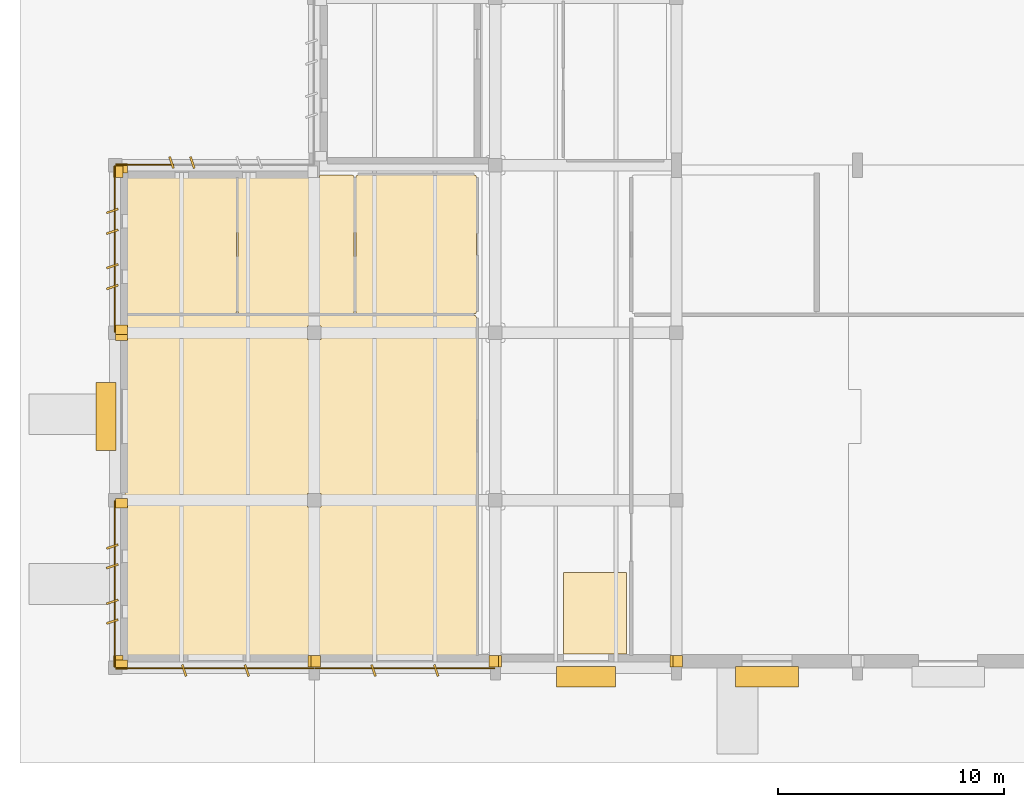
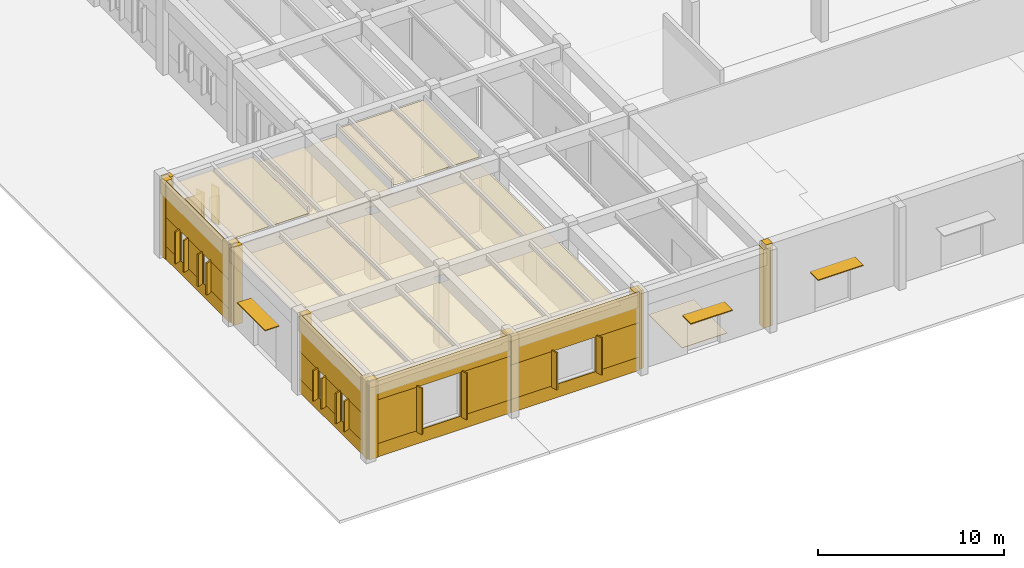
# One storey, part 33 of 56: 51 coverings, 3 shading devices.
"""IFC4 building model written with IfcOpenShell, lengths in metres."""

from ifc_helpers import new_model, si_unit, direction, frame, frame_2d, origin, origin_2d, place, context, subcontext, project, spatial, polyline, rectangle, outline, extrude, material, layer, layer_set, type_object, element, save


model = new_model("IFC4")

# Units and contexts
model_context = context("Model", 3, precision=1e-05, world=origin(), true_north=direction((0.0, 1.0)))
body_context = subcontext(model_context, "Body", "Model", "MODEL_VIEW")
ifc_project = project(units=[si_unit("LENGTHUNIT", "METRE"), si_unit("AREAUNIT", "SQUARE_METRE"), si_unit("VOLUMEUNIT", "CUBIC_METRE"), si_unit("PLANEANGLEUNIT", "RADIAN"), si_unit("MASSUNIT", "GRAM", prefix="KILO")], contexts=[model_context])

# Site, building, storey
site_placement = place(None, origin())
site = spatial("IfcSite", under=ifc_project, at=site_placement, CompositionType="ELEMENT")
building_placement = place(site_placement, origin())
building = spatial("IfcBuilding", under=site, at=building_placement, Name="Valkorina Park Police Headquarters", CompositionType="ELEMENT")
storey_placement = place(building_placement, origin())
storey = spatial("IfcBuildingStorey", under=building, at=storey_placement, Name="L01", CompositionType="ELEMENT", Elevation=0.0)

# Coverings
ifc_material_1 = material(Name="Acoustic mineral board")
ifc_layer_1 = layer(ifc_material_1, 0.02490234375)
ifc_layer_set_1 = layer_set([ifc_layer_1], Name="Acoustic mineral board")
covering_type_1 = type_object("IfcCoveringType", Name="COV-CEILING-ACOUST", PredefinedType="CEILING", material=ifc_layer_set_1)
covering_1_placement = place(storey_placement, frame((0.0, 0.0, 4.264892578125)))
element("IfcCovering", 1, at=covering_1_placement, inside=storey, type_object=covering_type_1, Name="Civic Wind-Lobby and Waiting Room Acoustic Suspended Ceiling", PredefinedType="CEILING", context=body_context, shape_type="SweptSolid", body=[
    extrude(outline(polyline([(8.574951171875, 0.45068359375), (8.574951171875, 0.550048828125), (9.02490234375, 0.550048828125), (9.02490234375, 0.45068359375), (9.02734375, 0.449462890625), (9.034423828125, 0.446044921875), (9.041748046875, 0.443359375), (9.04931640625, 0.44140625), (9.05712890625, 0.4404296875), (9.06494140625, 0.43994140625), (15.8798828125, 0.43994140625), (15.8876953125, 0.4404296875), (15.8955078125, 0.44140625), (15.9033203125, 0.443359375), (15.91064453125, 0.446044921875), (15.917724609375, 0.449462890625), (15.92431640625, 0.45361328125), (15.930908203125, 0.458251953125), (15.9365234375, 0.46337890625), (15.94189453125, 0.46923828125), (15.946533203125, 0.4755859375), (15.95068359375, 0.482421875), (15.953857421875, 0.489501953125), (15.95654296875, 0.496826171875), (15.95849609375, 0.50439453125), (15.959716796875, 0.51220703125), (15.9599609375, 0.52001953125), (15.9599609375, 15.47998046875), (15.959716796875, 15.48779296875), (15.95849609375, 15.49560546875), (15.95654296875, 15.503173828125), (15.953857421875, 15.510498046875), (15.95068359375, 15.517578125), (15.946533203125, 15.5244140625), (15.94189453125, 15.53076171875), (15.9365234375, 15.53662109375), (15.930908203125, 15.541748046875), (15.92431640625, 15.54638671875), (15.917724609375, 15.550537109375), (15.91064453125, 15.553955078125), (15.9033203125, 15.556640625), (15.8955078125, 15.55859375), (15.8876953125, 15.5595703125), (15.8798828125, 15.56005859375), (0.52001953125, 15.56005859375), (0.51220703125, 15.5595703125), (0.50439453125, 15.55859375), (0.496826171875, 15.556640625), (0.489501953125, 15.553955078125), (0.482421875, 15.550537109375), (0.4755859375, 15.54638671875), (0.46923828125, 15.541748046875), (0.46337890625, 15.53662109375), (0.458251953125, 15.53076171875), (0.45361328125, 15.5244140625), (0.449462890625, 15.517578125), (0.446044921875, 15.510498046875), (0.443359375, 15.503173828125), (0.44140625, 15.49560546875), (0.4404296875, 15.48779296875), (0.43994140625, 15.47998046875), (0.43994140625, 0.52001953125), (0.4404296875, 0.51220703125), (0.44140625, 0.50439453125), (0.443359375, 0.496826171875), (0.446044921875, 0.489501953125), (0.449462890625, 0.482421875), (0.45361328125, 0.4755859375), (0.458251953125, 0.46923828125), (0.46337890625, 0.46337890625), (0.46923828125, 0.458251953125), (0.4755859375, 0.45361328125), (0.482421875, 0.449462890625), (0.489501953125, 0.446044921875), (0.496826171875, 0.443359375), (0.50439453125, 0.44140625), (0.51220703125, 0.4404296875), (0.52001953125, 0.43994140625), (8.534912109375, 0.43994140625), (8.542724609375, 0.4404296875), (8.550537109375, 0.44140625), (8.55810546875, 0.443359375), (8.565673828125, 0.446044921875), (8.57275390625, 0.449462890625), (8.574951171875, 0.45068359375)]), holes=[polyline([(9.10009765625, 14.5), (8.5, 14.5), (8.5, 15.10009765625), (9.10009765625, 15.10009765625), (9.10009765625, 14.5)]), polyline([(9.10009765625, 7.10009765625), (8.5, 7.10009765625), (8.5, 7.699951171875), (9.10009765625, 7.699951171875), (9.10009765625, 7.10009765625)])]), origin(), (0.0, 0.0, 1.0), 0.025146484375),
])
covering_2_placement = place(storey_placement, frame((0.0, 0.0, 4.7548828125)))
element("IfcCovering", 2, at=covering_2_placement, inside=storey, type_object=covering_type_1, Name="Group III Universal Hygiene Room Acoustic Suspended Ceiling", PredefinedType="CEILING", context=body_context, shape_type="SweptSolid", body=[
    extrude(outline(polyline([(5.3583984375, 15.704345703125), (5.359619140625, 15.712158203125), (5.360107421875, 15.719970703125), (5.360107421875, 21.679931640625), (5.359619140625, 21.687744140625), (5.3583984375, 21.695556640625), (5.356689453125, 21.703125), (5.35400390625, 21.710693359375), (5.3505859375, 21.7177734375), (5.346435546875, 21.724365234375), (5.341796875, 21.730712890625), (5.336669921875, 21.736572265625), (5.330810546875, 21.74169921875), (5.324462890625, 21.74658203125), (5.317626953125, 21.75048828125), (5.310546875, 21.75390625), (5.30322265625, 21.756591796875), (5.295654296875, 21.758544921875), (5.287841796875, 21.759521484375), (5.280029296875, 21.760009765625), (0.52001953125, 21.760009765625), (0.51220703125, 21.759521484375), (0.50439453125, 21.758544921875), (0.496826171875, 21.756591796875), (0.489501953125, 21.75390625), (0.482421875, 21.75048828125), (0.4755859375, 21.74658203125), (0.46923828125, 21.74169921875), (0.46337890625, 21.736572265625), (0.458251953125, 21.730712890625), (0.45361328125, 21.724365234375), (0.449462890625, 21.7177734375), (0.446044921875, 21.710693359375), (0.443359375, 21.703125), (0.44140625, 21.695556640625), (0.4404296875, 21.687744140625), (0.43994140625, 21.679931640625), (0.43994140625, 15.719970703125), (0.4404296875, 15.712158203125), (0.44140625, 15.704345703125), (0.443359375, 15.69677734375), (0.446044921875, 15.689453125), (0.449462890625, 15.682373046875), (0.45361328125, 15.675537109375), (0.458251953125, 15.669189453125), (0.46337890625, 15.663330078125), (0.46923828125, 15.658203125), (0.4755859375, 15.653564453125), (0.482421875, 15.6494140625), (0.489501953125, 15.64599609375), (0.496826171875, 15.643310546875), (0.50439453125, 15.6416015625), (0.51220703125, 15.640380859375), (0.52001953125, 15.639892578125), (5.280029296875, 15.639892578125), (5.287841796875, 15.640380859375), (5.295654296875, 15.6416015625), (5.30322265625, 15.643310546875), (5.310546875, 15.64599609375), (5.317626953125, 15.6494140625), (5.324462890625, 15.653564453125), (5.330810546875, 15.658203125), (5.336669921875, 15.663330078125), (5.341796875, 15.669189453125), (5.346435546875, 15.675537109375), (5.3505859375, 15.682373046875), (5.35400390625, 15.689453125), (5.356689453125, 15.69677734375), (5.3583984375, 15.704345703125)])), origin(), (0.0, 0.0, 1.0), 0.025146484375),
])
covering_3_placement = place(storey_placement, frame((0.0, 0.0, 4.264892578125)))
element("IfcCovering", 3, at=covering_3_placement, inside=storey, type_object=covering_type_1, Name="Public Accessible WC Acoustic Suspended Ceiling", PredefinedType="CEILING", context=body_context, shape_type="SweptSolid", body=[
    extrude(outline(polyline([(9.02490234375, 21.749267578125), (9.02490234375, 21.64990234375), (8.574951171875, 21.64990234375), (8.574951171875, 21.749267578125), (8.57275390625, 21.75048828125), (8.565673828125, 21.75390625), (8.55810546875, 21.756591796875), (8.550537109375, 21.758544921875), (8.542724609375, 21.759521484375), (8.534912109375, 21.760009765625), (5.52001953125, 21.760009765625), (5.51220703125, 21.759521484375), (5.50439453125, 21.758544921875), (5.496826171875, 21.756591796875), (5.489501953125, 21.75390625), (5.482421875, 21.75048828125), (5.4755859375, 21.74658203125), (5.46923828125, 21.74169921875), (5.46337890625, 21.736572265625), (5.458251953125, 21.730712890625), (5.45361328125, 21.724365234375), (5.449462890625, 21.7177734375), (5.446044921875, 21.710693359375), (5.443359375, 21.703125), (5.44140625, 21.695556640625), (5.4404296875, 21.687744140625), (5.43994140625, 21.679931640625), (5.43994140625, 15.719970703125), (5.4404296875, 15.712158203125), (5.44140625, 15.704345703125), (5.443359375, 15.69677734375), (5.446044921875, 15.689453125), (5.449462890625, 15.682373046875), (5.45361328125, 15.675537109375), (5.458251953125, 15.669189453125), (5.46337890625, 15.663330078125), (5.46923828125, 15.658203125), (5.4755859375, 15.653564453125), (5.482421875, 15.6494140625), (5.489501953125, 15.64599609375), (5.496826171875, 15.643310546875), (5.50439453125, 15.6416015625), (5.51220703125, 15.640380859375), (5.52001953125, 15.639892578125), (10.47998046875, 15.639892578125), (10.48779296875, 15.640380859375), (10.49560546875, 15.6416015625), (10.503173828125, 15.643310546875), (10.510498046875, 15.64599609375), (10.517578125, 15.6494140625), (10.5244140625, 15.653564453125), (10.53076171875, 15.658203125), (10.53662109375, 15.663330078125), (10.541748046875, 15.669189453125), (10.54638671875, 15.675537109375), (10.550537109375, 15.682373046875), (10.553955078125, 15.689453125), (10.556640625, 15.69677734375), (10.55859375, 15.704345703125), (10.5595703125, 15.712158203125), (10.56005859375, 15.719970703125), (10.56005859375, 21.679931640625), (10.5595703125, 21.687744140625), (10.55859375, 21.695556640625), (10.556640625, 21.703125), (10.553955078125, 21.710693359375), (10.550537109375, 21.7177734375), (10.54638671875, 21.724365234375), (10.541748046875, 21.730712890625), (10.53662109375, 21.736572265625), (10.53076171875, 21.74169921875), (10.5244140625, 21.74658203125), (10.517578125, 21.75048828125), (10.510498046875, 21.75390625), (10.503173828125, 21.756591796875), (10.49560546875, 21.758544921875), (10.48779296875, 21.759521484375), (10.47998046875, 21.760009765625), (9.06494140625, 21.760009765625), (9.05712890625, 21.759521484375), (9.04931640625, 21.758544921875), (9.041748046875, 21.756591796875), (9.034423828125, 21.75390625), (9.02734375, 21.75048828125), (9.02490234375, 21.749267578125)])), origin(), (0.0, 0.0, 1.0), 0.025146484375),
])
covering_4_placement = place(storey_placement, frame((0.0, 0.0, 4.7548828125)))
element("IfcCovering", 4, at=covering_4_placement, inside=storey, type_object=covering_type_1, Name="Public Male WC Acoustic Suspended Ceiling", PredefinedType="CEILING", context=body_context, shape_type="SweptSolid", body=[
    extrude(outline(polyline([(15.95849609375, 15.704345703125), (15.959716796875, 15.712158203125), (15.9599609375, 15.719970703125), (15.9599609375, 21.679931640625), (15.959716796875, 21.687744140625), (15.95849609375, 21.695556640625), (15.95654296875, 21.703125), (15.953857421875, 21.710693359375), (15.95068359375, 21.7177734375), (15.946533203125, 21.724365234375), (15.94189453125, 21.730712890625), (15.9365234375, 21.736572265625), (15.930908203125, 21.74169921875), (15.92431640625, 21.74658203125), (15.917724609375, 21.75048828125), (15.91064453125, 21.75390625), (15.9033203125, 21.756591796875), (15.8955078125, 21.758544921875), (15.8876953125, 21.759521484375), (15.8798828125, 21.760009765625), (10.719970703125, 21.760009765625), (10.712158203125, 21.759521484375), (10.704345703125, 21.758544921875), (10.69677734375, 21.756591796875), (10.689453125, 21.75390625), (10.682373046875, 21.75048828125), (10.675537109375, 21.74658203125), (10.669189453125, 21.74169921875), (10.663330078125, 21.736572265625), (10.658203125, 21.730712890625), (10.653564453125, 21.724365234375), (10.6494140625, 21.7177734375), (10.64599609375, 21.710693359375), (10.643310546875, 21.703125), (10.6416015625, 21.695556640625), (10.640380859375, 21.687744140625), (10.639892578125, 21.679931640625), (10.639892578125, 15.719970703125), (10.640380859375, 15.712158203125), (10.6416015625, 15.704345703125), (10.643310546875, 15.69677734375), (10.64599609375, 15.689453125), (10.6494140625, 15.682373046875), (10.653564453125, 15.675537109375), (10.658203125, 15.669189453125), (10.663330078125, 15.663330078125), (10.669189453125, 15.658203125), (10.675537109375, 15.653564453125), (10.682373046875, 15.6494140625), (10.689453125, 15.64599609375), (10.69677734375, 15.643310546875), (10.704345703125, 15.6416015625), (10.712158203125, 15.640380859375), (10.719970703125, 15.639892578125), (15.8798828125, 15.639892578125), (15.8876953125, 15.640380859375), (15.8955078125, 15.6416015625), (15.9033203125, 15.643310546875), (15.91064453125, 15.64599609375), (15.917724609375, 15.6494140625), (15.92431640625, 15.653564453125), (15.930908203125, 15.658203125), (15.9365234375, 15.663330078125), (15.94189453125, 15.669189453125), (15.946533203125, 15.675537109375), (15.95068359375, 15.682373046875), (15.953857421875, 15.689453125), (15.95654296875, 15.69677734375), (15.95849609375, 15.704345703125)])), origin(), (0.0, 0.0, 1.0), 0.025146484375),
])
ifc_material_2 = material(Name="Precast concrete C40/50", Category="concrete")
ifc_layer_2 = layer(ifc_material_2, 0.044921875)
ifc_layer_set_2 = layer_set([ifc_layer_2], Name="Precast concrete C40/50")
covering_type_2 = type_object("IfcCoveringType", Name="COV-CLAD-DOLOMITE", PredefinedType="CLADDING", material=ifc_layer_set_2)
for number, where, z_axis, x_axis, name in (
    (5, (0.2900390625, 0.139892578125, 0.0), (0.0, 0.0, 1.0), (0.0, 1.0, 0.0), "L01 Exterior Joint Closure Pilaster A 0001"),
    (6, (0.2900390625, 7.260009765625, 0.0), (0.0, 0.0, 1.0), (0.0, 1.0, 0.0), "L01 Exterior Joint Closure Pilaster B 0002"),
):
    element("IfcCovering", number, at=place(storey_placement, frame(where, z_axis=z_axis, x_axis=x_axis)), inside=storey, type_object=covering_type_2, Name=name, PredefinedType="CLADDING", context=body_context, shape_type="SweptSolid", body=[
        extrude(rectangle(XDim=0.419921875, YDim=0.52197265625, at=origin_2d()), origin(), (0.0, 0.0, 1.0), 5.139892578125),
    ])
for number, where, z_axis, x_axis, name in (
    (7, (-0.1201171875, 2.044677734375, 0.77978515625), (0.0, 0.0, 1.0), (-0.948323655206, -0.317304656405, 0.0), "Slanted 18.5-deg Precast Window Slot Fin 0003"),
    (8, (-0.1201171875, 2.91455078125, 0.77978515625), (0.0, 0.0, 1.0), (-0.948323655206, -0.317304656405, 0.0), "Slanted 18.5-deg Precast Window Slot Fin 0004"),
    (9, (-0.1201171875, 4.4853515625, 0.77978515625), (0.0, 0.0, 1.0), (-0.948323655206, -0.317304656405, 0.0), "Slanted 18.5-deg Precast Window Slot Fin 0005"),
    (10, (-0.1201171875, 5.35546875, 0.77978515625), (0.0, 0.0, 1.0), (-0.948323655206, -0.317304656405, 0.0), "Slanted 18.5-deg Precast Window Slot Fin 0006"),
):
    element("IfcCovering", number, at=place(storey_placement, frame(where, z_axis=z_axis, x_axis=x_axis)), inside=storey, type_object=covering_type_2, Name=name, PredefinedType="CLADDING", context=body_context, shape_type="SweptSolid", body=[
        extrude(rectangle(XDim=0.5400390625, YDim=0.090087890625, at=origin_2d()), origin(), (0.0, 0.0, 1.0), 1.989990234375),
    ])
covering_5_placement = place(storey_placement, frame((-0.014892578125, 0.02001953125, 0.0), z_axis=(0.0, 0.0, 1.0), x_axis=(0.0, 1.0, 0.0)))
element("IfcCovering", 11, at=covering_5_placement, inside=storey, type_object=covering_type_2, Name="L01 Calm Concrete Base Sill Spandrel 0007", PredefinedType="CLADDING", context=body_context, shape_type="SweptSolid", body=[
    extrude(rectangle(XDim=7.35986328125, YDim=0.044921875, at=frame_2d((3.679931640625, 0.0))), origin(), (0.0, 0.0, 1.0), 0.8701171875),
])
covering_6_placement = place(storey_placement, frame((-0.014892578125, 0.02001953125, 2.679931640625), z_axis=(0.0, 0.0, 1.0), x_axis=(0.0, 1.0, 0.0)))
element("IfcCovering", 12, at=covering_6_placement, inside=storey, type_object=covering_type_2, Name="L01 Calm Concrete Base Lintel Spandrel 0008", PredefinedType="CLADDING", context=body_context, shape_type="SweptSolid", body=[
    extrude(rectangle(XDim=7.35986328125, YDim=0.044921875, at=frame_2d((3.679931640625, 0.0))), origin(), (0.0, 0.0, 1.0), 2.4599609375),
])
covering_7_placement = place(storey_placement, frame((-0.014892578125, 0.02001953125, 0.8701171875), z_axis=(0.0, 0.0, 1.0), x_axis=(0.0, 1.0, 0.0)))
element("IfcCovering", 13, at=covering_7_placement, inside=storey, type_object=covering_type_2, Name="L01 Calm Concrete Base Slot Pier 0009", PredefinedType="CLADDING", context=body_context, shape_type="SweptSolid", body=[
    extrude(rectangle(XDim=2.134521484375, YDim=0.044921875, at=frame_2d((1.0673828125, 0.0))), origin(), (0.0, 0.0, 1.0), 1.809814453125),
])
covering_8_placement = place(storey_placement, frame((-0.014892578125, 2.8046875, 0.8701171875), z_axis=(0.0, 0.0, 1.0), x_axis=(0.0, 1.0, 0.0)))
element("IfcCovering", 14, at=covering_8_placement, inside=storey, type_object=covering_type_2, Name="L01 Calm Concrete Base Slot Pier 0010", PredefinedType="CLADDING", context=body_context, shape_type="SweptSolid", body=[
    extrude(rectangle(XDim=1.790771484375, YDim=0.044921875, at=frame_2d((0.8955078125, 0.0))), origin(), (0.0, 0.0, 1.0), 1.809814453125),
])
covering_9_placement = place(storey_placement, frame((-0.014892578125, 5.245361328125, 0.8701171875), z_axis=(0.0, 0.0, 1.0), x_axis=(0.0, 1.0, 0.0)))
element("IfcCovering", 15, at=covering_9_placement, inside=storey, type_object=covering_type_2, Name="L01 Calm Concrete Base Slot Pier 0011", PredefinedType="CLADDING", context=body_context, shape_type="SweptSolid", body=[
    extrude(rectangle(XDim=2.134521484375, YDim=0.044921875, at=frame_2d((1.0673828125, 0.0))), origin(), (0.0, 0.0, 1.0), 1.809814453125),
])
for number, where, z_axis, x_axis, name in (
    (16, (0.2900390625, 14.659912109375, 0.0), (0.0, 0.0, 1.0), (0.0, 1.0, 0.0), "L01 Exterior Joint Closure Pilaster B 0012"),
    (17, (0.2900390625, 14.93994140625, 0.0), (0.0, 0.0, 1.0), (0.0, 1.0, 0.0), "L01 Exterior Joint Closure Pilaster A 0013"),
    (18, (0.2900390625, 22.06005859375, 0.0), (0.0, 0.0, 1.0), (0.0, 1.0, 0.0), "L01 Exterior Joint Closure Pilaster B 0014"),
):
    element("IfcCovering", number, at=place(storey_placement, frame(where, z_axis=z_axis, x_axis=x_axis)), inside=storey, type_object=covering_type_2, Name=name, PredefinedType="CLADDING", context=body_context, shape_type="SweptSolid", body=[
        extrude(rectangle(XDim=0.419921875, YDim=0.52197265625, at=origin_2d()), origin(), (0.0, 0.0, 1.0), 5.139892578125),
    ])
for number, where, z_axis, x_axis, name in (
    (19, (-0.1201171875, 16.819580078125, 0.77978515625), (0.0, 0.0, 1.0), (-0.948323655206, -0.317304656405, 0.0), "Slanted 18.5-deg Precast Window Slot Fin 0015"),
    (20, (-0.1201171875, 17.739501953125, 0.77978515625), (0.0, 0.0, 1.0), (-0.948323655206, -0.317304656405, 0.0), "Slanted 18.5-deg Precast Window Slot Fin 0016"),
    (21, (-0.1201171875, 19.260498046875, 0.77978515625), (0.0, 0.0, 1.0), (-0.948323655206, -0.317304656405, 0.0), "Slanted 18.5-deg Precast Window Slot Fin 0017"),
    (22, (-0.1201171875, 20.180419921875, 0.77978515625), (0.0, 0.0, 1.0), (-0.948323655206, -0.317304656405, 0.0), "Slanted 18.5-deg Precast Window Slot Fin 0018"),
):
    element("IfcCovering", number, at=place(storey_placement, frame(where, z_axis=z_axis, x_axis=x_axis)), inside=storey, type_object=covering_type_2, Name=name, PredefinedType="CLADDING", context=body_context, shape_type="SweptSolid", body=[
        extrude(rectangle(XDim=0.5400390625, YDim=0.090087890625, at=origin_2d()), origin(), (0.0, 0.0, 1.0), 2.090087890625),
    ])
covering_10_placement = place(storey_placement, frame((-0.014892578125, 14.820068359375, 0.0), z_axis=(0.0, 0.0, 1.0), x_axis=(0.0, 1.0, 0.0)))
element("IfcCovering", 23, at=covering_10_placement, inside=storey, type_object=covering_type_2, Name="L01 Calm Concrete Base Sill Spandrel 0019", PredefinedType="CLADDING", context=body_context, shape_type="SweptSolid", body=[
    extrude(rectangle(XDim=7.35986328125, YDim=0.044921875, at=frame_2d((3.679931640625, 0.0))), origin(), (0.0, 0.0, 1.0), 0.8701171875),
])
covering_11_placement = place(storey_placement, frame((-0.014892578125, 14.820068359375, 2.780029296875), z_axis=(0.0, 0.0, 1.0), x_axis=(0.0, 1.0, 0.0)))
element("IfcCovering", 24, at=covering_11_placement, inside=storey, type_object=covering_type_2, Name="L01 Calm Concrete Base Lintel Spandrel 0020", PredefinedType="CLADDING", context=body_context, shape_type="SweptSolid", body=[
    extrude(rectangle(XDim=7.35986328125, YDim=0.044921875, at=frame_2d((3.679931640625, 0.0))), origin(), (0.0, 0.0, 1.0), 2.35986328125),
])
covering_12_placement = place(storey_placement, frame((-0.014892578125, 14.820068359375, 0.8701171875), z_axis=(0.0, 0.0, 1.0), x_axis=(0.0, 1.0, 0.0)))
element("IfcCovering", 25, at=covering_12_placement, inside=storey, type_object=covering_type_2, Name="L01 Calm Concrete Base Slot Pier 0021", PredefinedType="CLADDING", context=body_context, shape_type="SweptSolid", body=[
    extrude(rectangle(XDim=2.109619140625, YDim=0.044921875, at=frame_2d((1.0546875, 0.0))), origin(), (0.0, 0.0, 1.0), 1.909912109375),
])
covering_13_placement = place(storey_placement, frame((-0.014892578125, 17.629638671875, 0.8701171875), z_axis=(0.0, 0.0, 1.0), x_axis=(0.0, 1.0, 0.0)))
element("IfcCovering", 26, at=covering_13_placement, inside=storey, type_object=covering_type_2, Name="L01 Calm Concrete Base Slot Pier 0022", PredefinedType="CLADDING", context=body_context, shape_type="SweptSolid", body=[
    extrude(rectangle(XDim=1.74072265625, YDim=0.044921875, at=frame_2d((0.870361328125, 0.0))), origin(), (0.0, 0.0, 1.0), 1.909912109375),
])
covering_14_placement = place(storey_placement, frame((-0.014892578125, 20.0703125, 0.8701171875), z_axis=(0.0, 0.0, 1.0), x_axis=(0.0, 1.0, 0.0)))
element("IfcCovering", 27, at=covering_14_placement, inside=storey, type_object=covering_type_2, Name="L01 Calm Concrete Base Slot Pier 0023", PredefinedType="CLADDING", context=body_context, shape_type="SweptSolid", body=[
    extrude(rectangle(XDim=2.109619140625, YDim=0.044921875, at=frame_2d((1.0546875, 0.0))), origin(), (0.0, 0.0, 1.0), 1.909912109375),
])
covering_15_placement = place(storey_placement, frame((0.139892578125, 21.909912109375, 0.0), z_axis=(0.0, 0.0, 1.0), x_axis=(1.0, 0.0, 0.0)))
element("IfcCovering", 28, at=covering_15_placement, inside=storey, type_object=covering_type_2, Name="L01 Exterior Joint Closure Pilaster A 0024", PredefinedType="CLADDING", context=body_context, shape_type="SweptSolid", body=[
    extrude(rectangle(XDim=0.419921875, YDim=0.52197265625, at=origin_2d()), origin(), (0.0, 0.0, 1.0), 5.139892578125),
])
for number, where, z_axis, x_axis, name in (
    (29, (2.49169921875, 22.320068359375, 0.780029296875), (0.0, 0.0, 1.0), (-0.317304656405, 0.948323655206, 0.0), "Slanted 18.5-deg Precast Window Slot Fin 0026"),
    (30, (3.41162109375, 22.320068359375, 0.780029296875), (0.0, 0.0, 1.0), (-0.317304656405, 0.948323655206, 0.0), "Slanted 18.5-deg Precast Window Slot Fin 0027"),
):
    element("IfcCovering", number, at=place(storey_placement, frame(where, z_axis=z_axis, x_axis=x_axis)), inside=storey, type_object=covering_type_2, Name=name, PredefinedType="CLADDING", context=body_context, shape_type="SweptSolid", body=[
        extrude(rectangle(XDim=0.5400390625, YDim=0.090087890625, at=origin_2d()), origin(), (0.0, 0.0, 1.0), 2.43994140625),
    ])
covering_16_placement = place(storey_placement, frame((0.02001953125, 22.215087890625, 0.8701171875), z_axis=(0.0, 0.0, 1.0), x_axis=(1.0, 0.0, 0.0)))
element("IfcCovering", 31, at=covering_16_placement, inside=storey, type_object=covering_type_2, Name="L01 Calm Concrete Base Slot Pier 0032", PredefinedType="CLADDING", context=body_context, shape_type="SweptSolid", body=[
    extrude(rectangle(XDim=2.58154296875, YDim=0.044921875, at=frame_2d((1.290771484375, 0.0))), origin(), (0.0, 0.0, 1.0), 2.259765625),
])
covering_17_placement = place(storey_placement, frame((24.864990234375, 0.2900390625, 0.0), z_axis=(0.0, 0.0, 1.0), x_axis=(1.0, 0.0, 0.0)))
element("IfcCovering", 32, at=covering_17_placement, inside=storey, type_object=covering_type_2, Name="L01 Exterior Joint Closure Pilaster B 0800", PredefinedType="CLADDING", context=body_context, shape_type="SweptSolid", body=[
    extrude(rectangle(XDim=0.419921875, YDim=0.52197265625, at=origin_2d()), origin(), (0.0, 0.0, 1.0), 5.39990234375),
])
for number, where, z_axis, x_axis, name in (
    (33, (24.735107421875, 0.2900390625, 0.0), (0.0, 0.0, 1.0), (1.0, 0.0, 0.0), "L01 Exterior Joint Closure Pilaster A 0801"),
    (34, (16.864990234375, 0.2900390625, 0.0), (0.0, 0.0, 1.0), (1.0, 0.0, 0.0), "L01 Exterior Joint Closure Pilaster B 0802"),
    (35, (16.735107421875, 0.2900390625, 0.0), (0.0, 0.0, 1.0), (1.0, 0.0, 0.0), "L01 Exterior Joint Closure Pilaster A 0803"),
    (36, (8.864990234375, 0.2900390625, 0.0), (0.0, 0.0, 1.0), (1.0, 0.0, 0.0), "L01 Exterior Joint Closure Pilaster B 0804"),
):
    element("IfcCovering", number, at=place(storey_placement, frame(where, z_axis=z_axis, x_axis=x_axis)), inside=storey, type_object=covering_type_2, Name=name, PredefinedType="CLADDING", context=body_context, shape_type="SweptSolid", body=[
        extrude(rectangle(XDim=0.419921875, YDim=0.52197265625, at=origin_2d()), origin(), (0.0, 0.0, 1.0), 5.139892578125),
    ])
for number, where, z_axis, x_axis, name in (
    (37, (14.18505859375, -0.1201171875, 0.780029296875), (0.0, 0.0, 1.0), (0.317304656405, -0.948323655206, 0.0), "Slanted 18.5-deg Precast Window Slot Fin 0805"),
    (38, (11.4150390625, -0.1201171875, 0.780029296875), (0.0, 0.0, 1.0), (0.317304656405, -0.948323655206, 0.0), "Slanted 18.5-deg Precast Window Slot Fin 0806"),
):
    element("IfcCovering", number, at=place(storey_placement, frame(where, z_axis=z_axis, x_axis=x_axis)), inside=storey, type_object=covering_type_2, Name=name, PredefinedType="CLADDING", context=body_context, shape_type="SweptSolid", body=[
        extrude(rectangle(XDim=0.5400390625, YDim=0.090087890625, at=origin_2d()), origin(), (0.0, 0.0, 1.0), 2.43994140625),
    ])
covering_18_placement = place(storey_placement, frame((16.780029296875, -0.014892578125, 0.0), z_axis=(0.0, 0.0, 1.0), x_axis=(-1.0, 0.0, 0.0)))
element("IfcCovering", 39, at=covering_18_placement, inside=storey, type_object=covering_type_2, Name="L01 Calm Concrete Base Sill Spandrel 0807", PredefinedType="CLADDING", context=body_context, shape_type="SweptSolid", body=[
    extrude(rectangle(XDim=7.9599609375, YDim=0.044921875, at=frame_2d((3.97998046875, 0.0))), origin(), (0.0, 0.0, 1.0), 0.8701171875),
])
covering_19_placement = place(storey_placement, frame((16.780029296875, -0.014892578125, 3.1298828125), z_axis=(0.0, 0.0, 1.0), x_axis=(-1.0, 0.0, 0.0)))
element("IfcCovering", 40, at=covering_19_placement, inside=storey, type_object=covering_type_2, Name="L01 Calm Concrete Base Lintel Spandrel 0808", PredefinedType="CLADDING", context=body_context, shape_type="SweptSolid", body=[
    extrude(rectangle(XDim=7.9599609375, YDim=0.044921875, at=frame_2d((3.97998046875, 0.0))), origin(), (0.0, 0.0, 1.0), 2.010009765625),
])
covering_20_placement = place(storey_placement, frame((16.780029296875, -0.014892578125, 0.8701171875), z_axis=(0.0, 0.0, 1.0), x_axis=(-1.0, 0.0, 0.0)))
element("IfcCovering", 41, at=covering_20_placement, inside=storey, type_object=covering_type_2, Name="L01 Calm Concrete Base Slot Pier 0809", PredefinedType="CLADDING", context=body_context, shape_type="SweptSolid", body=[
    extrude(rectangle(XDim=2.705078125, YDim=0.044921875, at=frame_2d((1.3525390625, 0.0))), origin(), (0.0, 0.0, 1.0), 2.259765625),
])
covering_21_placement = place(storey_placement, frame((11.52490234375, -0.014892578125, 0.8701171875), z_axis=(0.0, 0.0, 1.0), x_axis=(-1.0, 0.0, 0.0)))
element("IfcCovering", 42, at=covering_21_placement, inside=storey, type_object=covering_type_2, Name="L01 Calm Concrete Base Slot Pier 0810", PredefinedType="CLADDING", context=body_context, shape_type="SweptSolid", body=[
    extrude(rectangle(XDim=2.704833984375, YDim=0.044921875, at=frame_2d((1.3525390625, 0.0))), origin(), (0.0, 0.0, 1.0), 2.259765625),
])
for number, where, z_axis, x_axis, name in (
    (43, (8.735107421875, 0.2900390625, 0.0), (0.0, 0.0, 1.0), (1.0, 0.0, 0.0), "L01 Exterior Joint Closure Pilaster A 0811"),
    (44, (0.139892578125, 0.2900390625, 0.0), (0.0, 0.0, 1.0), (1.0, 0.0, 0.0), "L01 Exterior Joint Closure Pilaster B 0812"),
):
    element("IfcCovering", number, at=place(storey_placement, frame(where, z_axis=z_axis, x_axis=x_axis)), inside=storey, type_object=covering_type_2, Name=name, PredefinedType="CLADDING", context=body_context, shape_type="SweptSolid", body=[
        extrude(rectangle(XDim=0.419921875, YDim=0.52197265625, at=origin_2d()), origin(), (0.0, 0.0, 1.0), 5.139892578125),
    ])
for number, where, z_axis, x_axis, name in (
    (45, (5.822509765625, -0.1201171875, 0.780029296875), (0.0, 0.0, 1.0), (0.317304656405, -0.948323655206, 0.0), "Slanted 18.5-deg Precast Window Slot Fin 0813"),
    (46, (3.052490234375, -0.1201171875, 0.780029296875), (0.0, 0.0, 1.0), (0.317304656405, -0.948323655206, 0.0), "Slanted 18.5-deg Precast Window Slot Fin 0814"),
):
    element("IfcCovering", number, at=place(storey_placement, frame(where, z_axis=z_axis, x_axis=x_axis)), inside=storey, type_object=covering_type_2, Name=name, PredefinedType="CLADDING", context=body_context, shape_type="SweptSolid", body=[
        extrude(rectangle(XDim=0.5400390625, YDim=0.090087890625, at=origin_2d()), origin(), (0.0, 0.0, 1.0), 3.0400390625),
    ])
covering_22_placement = place(storey_placement, frame((8.780029296875, -0.014892578125, 0.0), z_axis=(0.0, 0.0, 1.0), x_axis=(-1.0, 0.0, 0.0)))
element("IfcCovering", 47, at=covering_22_placement, inside=storey, type_object=covering_type_2, Name="L01 Calm Concrete Base Sill Spandrel 0815", PredefinedType="CLADDING", context=body_context, shape_type="SweptSolid", body=[
    extrude(rectangle(XDim=8.760009765625, YDim=0.044921875, at=frame_2d((4.3798828125, 0.0))), origin(), (0.0, 0.0, 1.0), 0.8701171875),
])
covering_23_placement = place(storey_placement, frame((8.780029296875, -0.014892578125, 3.72998046875), z_axis=(0.0, 0.0, 1.0), x_axis=(-1.0, 0.0, 0.0)))
element("IfcCovering", 48, at=covering_23_placement, inside=storey, type_object=covering_type_2, Name="L01 Calm Concrete Base Lintel Spandrel 0816", PredefinedType="CLADDING", context=body_context, shape_type="SweptSolid", body=[
    extrude(rectangle(XDim=8.760009765625, YDim=0.044921875, at=frame_2d((4.3798828125, 0.0))), origin(), (0.0, 0.0, 1.0), 1.409912109375),
])
covering_24_placement = place(storey_placement, frame((8.780029296875, -0.014892578125, 0.8701171875), z_axis=(0.0, 0.0, 1.0), x_axis=(-1.0, 0.0, 0.0)))
element("IfcCovering", 49, at=covering_24_placement, inside=storey, type_object=covering_type_2, Name="L01 Calm Concrete Base Slot Pier 0817", PredefinedType="CLADDING", context=body_context, shape_type="SweptSolid", body=[
    extrude(rectangle(XDim=3.067626953125, YDim=0.044921875, at=frame_2d((1.53369140625, 0.0))), origin(), (0.0, 0.0, 1.0), 2.85986328125),
])
covering_25_placement = place(storey_placement, frame((3.16259765625, -0.014892578125, 0.8701171875), z_axis=(0.0, 0.0, 1.0), x_axis=(-1.0, 0.0, 0.0)))
element("IfcCovering", 50, at=covering_25_placement, inside=storey, type_object=covering_type_2, Name="L01 Calm Concrete Base Slot Pier 0818", PredefinedType="CLADDING", context=body_context, shape_type="SweptSolid", body=[
    extrude(rectangle(XDim=3.142578125, YDim=0.044921875, at=frame_2d((1.5712890625, 0.0))), origin(), (0.0, 0.0, 1.0), 2.85986328125),
])
ifc_material_3 = material(Name="Resin terrazzo flooring")
ifc_layer_3 = layer(ifc_material_3, 0.030029296875)
ifc_layer_set_3 = layer_set([ifc_layer_3], Name="Resin terrazzo flooring")
covering_type_3 = type_object("IfcCoveringType", Name="COV-FLOOR-TERRAZZO", PredefinedType="FLOORING", material=ifc_layer_set_3)
covering_26_placement = place(storey_placement, origin())
element("IfcCovering", 51, at=covering_26_placement, inside=storey, type_object=covering_type_3, Name="South-West Exit Vestibule Corridor Terrazzo Flooring", PredefinedType="FLOORING", context=body_context, shape_type="SweptSolid", body=[
    extrude(outline(polyline([(22.60009765625, 4.199951171875), (19.800048828125, 4.199951171875), (19.800048828125, 0.60009765625), (22.60009765625, 0.60009765625), (22.60009765625, 4.199951171875)])), origin(), (0.0, 0.0, 1.0), 0.030029296875),
])

# Shading devices
ifc_material_4 = material(Name="Polychrome anodized aluminium - Baltic Amber", Category="aluminium")
ifc_layer_4 = layer(ifc_material_4, 0.054931640625)
ifc_layer_set_4 = layer_set([ifc_layer_4], Name="Polychrome anodized aluminium - Baltic Amber")
shading_device_type = type_object("IfcShadingDeviceType", Name="SHD-CANOPY-SUNSHADE", PredefinedType="JALOUSIE", material=ifc_layer_set_4)
shading_device_1_placement = place(storey_placement, frame((-0.39990234375, 11.10009765625, 2.892578125), z_axis=(0.0, 0.0, 1.0), x_axis=(0.0, 1.0, 0.0)))
element("IfcShadingDevice", 52, at=shading_device_1_placement, inside=storey, type_object=shading_device_type, Name="L01 Entrance Canopy Sunshade 001", PredefinedType="JALOUSIE", context=body_context, shape_type="SweptSolid", body=[
    extrude(rectangle(XDim=3.0, YDim=0.89990234375, at=origin_2d()), origin(), (0.0, 0.0, 1.0), 0.054931640625),
])
shading_device_2_placement = place(storey_placement, frame((28.800048828125, -0.39990234375, 2.642578125), z_axis=(0.0, 0.0, 1.0), x_axis=(-1.0, 0.0, 0.0)))
element("IfcShadingDevice", 53, at=shading_device_2_placement, inside=storey, type_object=shading_device_type, Name="L01 Entrance Canopy Sunshade 018", PredefinedType="JALOUSIE", context=body_context, shape_type="SweptSolid", body=[
    extrude(rectangle(XDim=2.800048828125, YDim=0.89990234375, at=origin_2d()), origin(), (0.0, 0.0, 1.0), 0.054931640625),
])
shading_device_3_placement = place(storey_placement, frame((20.800048828125, -0.39990234375, 2.54248046875), z_axis=(0.0, 0.0, 1.0), x_axis=(-1.0, 0.0, 0.0)))
element("IfcShadingDevice", 54, at=shading_device_3_placement, inside=storey, type_object=shading_device_type, Name="L01 Entrance Canopy Sunshade 019", PredefinedType="JALOUSIE", context=body_context, shape_type="SweptSolid", body=[
    extrude(rectangle(XDim=2.60009765625, YDim=0.89990234375, at=origin_2d()), origin(), (0.0, 0.0, 1.0), 0.054931640625),
])

save(model, "model.ifc")
